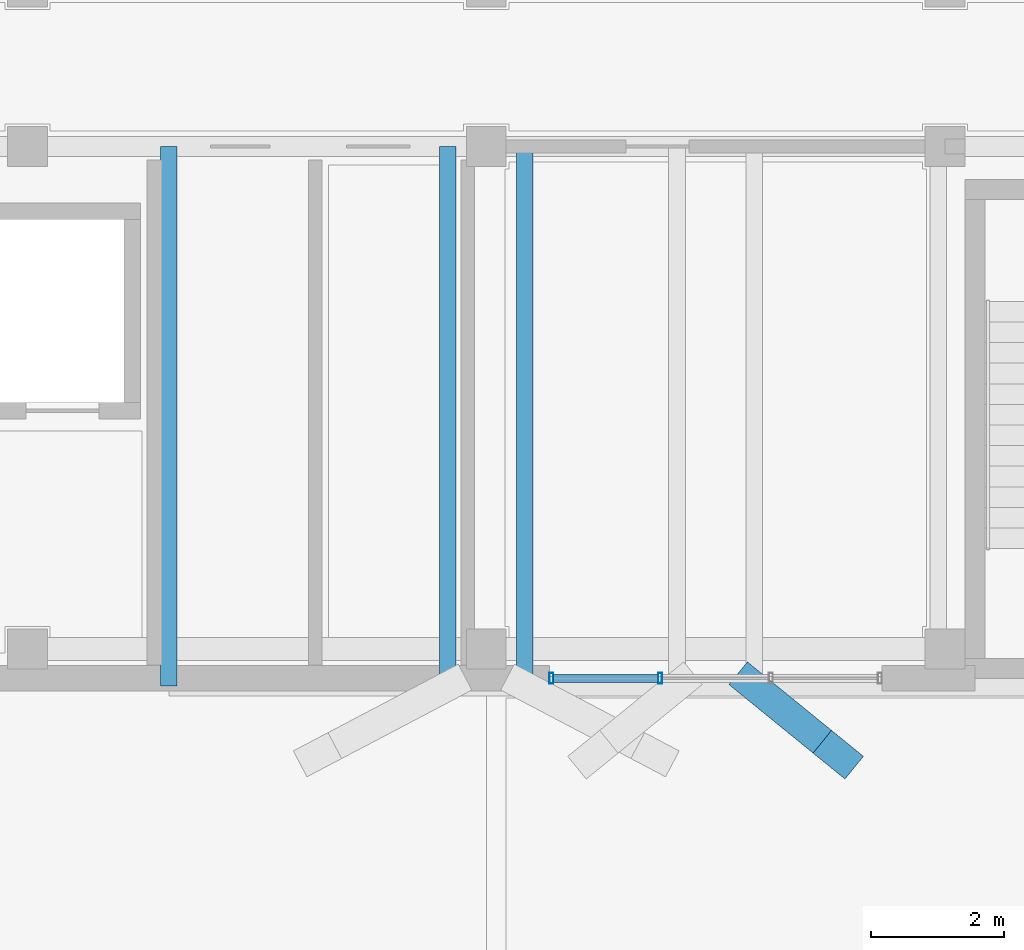
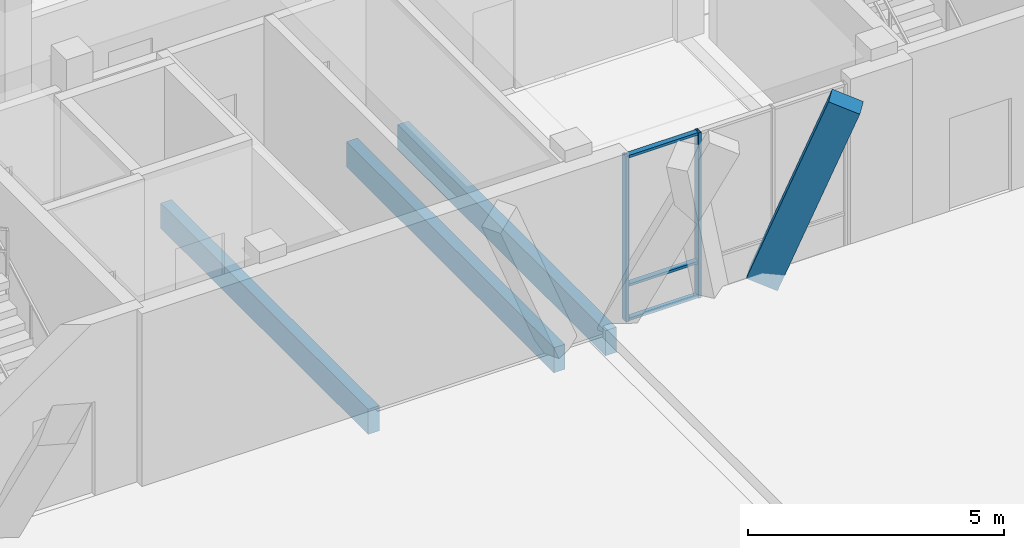
# One storey, part 100 of 233: 6 members, 3 beams, 1 element without a shape of its own.
"""IFC4 building model written with IfcOpenShell, lengths in metres."""

from ifc_helpers import new_model, si_unit, direction, frame, origin, origin_2d, place, context, subcontext, project, spatial, rectangle, hollow_rectangle, extrude, material, material_profile, profile_set, type_object, element, aggregate, save


model = new_model("IFC4")

# Units and contexts
model_context = context("Model", 3, precision=1e-05, world=origin(), true_north=direction((0.0, 1.0)))
body_context = subcontext(model_context, "Body", "Model", "MODEL_VIEW")
ifc_project = project(units=[si_unit("LENGTHUNIT", "METRE"), si_unit("AREAUNIT", "SQUARE_METRE"), si_unit("VOLUMEUNIT", "CUBIC_METRE"), si_unit("PLANEANGLEUNIT", "RADIAN"), si_unit("MASSUNIT", "GRAM", prefix="KILO")], contexts=[model_context])

# Site, building, storey
site_placement = place(None, origin())
site = spatial("IfcSite", under=ifc_project, at=site_placement, CompositionType="ELEMENT")
building_placement = place(site_placement, origin())
building = spatial("IfcBuilding", under=site, at=building_placement, Name="Zavelmont Quarter", CompositionType="ELEMENT")
storey_placement = place(building_placement, origin())
storey = spatial("IfcBuildingStorey", under=building, at=storey_placement, Name="L00", CompositionType="ELEMENT", Elevation=0.0)

# Beams
ifc_material_1 = material(Name="Concrete C40/50", Category="concrete")
ifc_material_profile_1 = material_profile(ifc_material_1, rectangle(XDim=0.25, YDim=0.60009765625, at=origin_2d()), Name="RC250X600")
ifc_profile_set_1 = profile_set([ifc_material_profile_1], Name="Concrete C40/50")
beam_type = type_object("IfcBeamType", Name="BM18", PredefinedType="BEAM", material=ifc_profile_set_1)
for number, where, z_axis, x_axis, name in (
    (1, (15.925048828125, 105.60009765625, -0.300048828125), (0.0, -1.0, 0.0), (1.0, 0.0, 0.0), "L00 beam BM18 3/Q to 3/P"),
    (2, (20.1201171875, 105.60009765625, -0.300048828125), (0.0, -1.0, 0.0), (1.0, 0.0, 0.0), "L00 beam BM18 4/Q to 4/P"),
    (3, (21.280029296875, 105.60009765625, -0.300048828125), (0.0, -1.0, 0.0), (1.0, 0.0, 0.0), "L00 beam BM18 4/Q to 4/P"),
):
    element("IfcBeam", number, at=place(storey_placement, frame(where, z_axis=z_axis, x_axis=x_axis)), inside=storey, type_object=beam_type, Name=name, PredefinedType="BEAM", context=body_context, shape_type="SweptSolid", body=[
        extrude(rectangle(XDim=0.25, YDim=0.60009765625, at=origin_2d()), origin(), (0.0, 0.0, 1.0), 8.1201171875),
    ])

# Curtain wall, members
ifc_material_2 = material(Name="Thermally broken aluminium and double low-E safety glazing", Category="aluminium")
curtain_wall_type = type_object("IfcCurtainWallType", Name="CW-500X395", PredefinedType="NOTDEFINED", material=ifc_material_2)
curtain_wall_placement = place(storey_placement, origin())
curtain_wall = element("IfcCurtainWall", 4, at=curtain_wall_placement, inside=storey, type_object=curtain_wall_type, Name="L00 unitised curtain wall CW-500X395", PredefinedType="NOTDEFINED")
ifc_material_3 = material(Name="Powder-coated aluminium EN AW-6063-T6", Category="aluminium")
ifc_material_profile_2 = material_profile(ifc_material_3, hollow_rectangle(XDim=0.06005859375, YDim=0.159912109375, WallThickness=0.00390625, at=origin_2d()), Name="CWM60X160")
ifc_profile_set_2 = profile_set([ifc_material_profile_2], Name="Powder-coated aluminium EN AW-6063-T6")
member_type_1 = type_object("IfcMemberType", Name="CWM01", PredefinedType="MULLION", material=ifc_profile_set_2)
member_1_placement = place(storey_placement, frame((21.679931640625, 97.60009765625, 0.0), z_axis=(0.0, 0.0, 1.0), x_axis=(1.0, 0.0, 0.0)))
member_1 = element("IfcMember", 5, at=member_1_placement, type_object=member_type_1, Name="CW-500X395 mullion 1", PredefinedType="MULLION", context=body_context, shape_type="SweptSolid", body=[
    extrude(hollow_rectangle(XDim=0.06005859375, YDim=0.159912109375, WallThickness=0.00390625, at=origin_2d()), origin(), (0.0, 0.0, 1.0), 3.949951171875),
])
member_2_placement = place(storey_placement, frame((23.316650390625, 97.60009765625, 0.0), z_axis=(0.0, 0.0, 1.0), x_axis=(1.0, 0.0, 0.0)))
member_2 = element("IfcMember", 6, at=member_2_placement, type_object=member_type_1, Name="CW-500X395 mullion 2", PredefinedType="MULLION", context=body_context, shape_type="SweptSolid", body=[
    extrude(hollow_rectangle(XDim=0.06005859375, YDim=0.159912109375, WallThickness=0.00390625, at=origin_2d()), origin(), (0.0, 0.0, 1.0), 3.949951171875),
])
ifc_material_profile_3 = material_profile(ifc_material_3, hollow_rectangle(XDim=0.1201171875, YDim=0.06005859375, WallThickness=0.00390625, at=origin_2d()), Name="CWT60X120")
ifc_profile_set_3 = profile_set([ifc_material_profile_3], Name="Powder-coated aluminium EN AW-6063-T6")
member_type_2 = type_object("IfcMemberType", Name="CWT01", PredefinedType="NOTDEFINED", material=ifc_profile_set_3)
member_3_placement = place(storey_placement, frame((21.7099609375, 97.60009765625, 0.030029296875), z_axis=(1.0, 0.0, 0.0), x_axis=(0.0, 1.0, 0.0)))
member_3 = element("IfcMember", 7, at=member_3_placement, type_object=member_type_2, Name="CW-500X395 transom 1.1", ObjectType="TRANSOM", PredefinedType="USERDEFINED", context=body_context, shape_type="SweptSolid", body=[
    extrude(hollow_rectangle(XDim=0.1201171875, YDim=0.06005859375, WallThickness=0.00390625, at=origin_2d()), origin(), (0.0, 0.0, 1.0), 1.57666015625),
])
member_4_placement = place(storey_placement, frame((21.7099609375, 97.60009765625, 0.85009765625), z_axis=(1.0, 0.0, 0.0), x_axis=(0.0, 1.0, 0.0)))
member_4 = element("IfcMember", 8, at=member_4_placement, type_object=member_type_2, Name="CW-500X395 transom 1.2", ObjectType="TRANSOM", PredefinedType="USERDEFINED", context=body_context, shape_type="SweptSolid", body=[
    extrude(hollow_rectangle(XDim=0.1201171875, YDim=0.06005859375, WallThickness=0.00390625, at=origin_2d()), origin(), (0.0, 0.0, 1.0), 1.57666015625),
])
member_5_placement = place(storey_placement, frame((21.7099609375, 97.60009765625, 3.919921875), z_axis=(1.0, 0.0, 0.0), x_axis=(0.0, 1.0, 0.0)))
member_5 = element("IfcMember", 9, at=member_5_placement, type_object=member_type_2, Name="CW-500X395 transom 1.3", ObjectType="TRANSOM", PredefinedType="USERDEFINED", context=body_context, shape_type="SweptSolid", body=[
    extrude(hollow_rectangle(XDim=0.1201171875, YDim=0.06005859375, WallThickness=0.00390625, at=origin_2d()), origin(), (0.0, 0.0, 1.0), 1.57666015625),
])
aggregate(curtain_wall, [member_1, member_2, member_3, member_4, member_5])

# Member
ifc_material_4 = material(Name="White architectural precast concrete C40/50", Category="concrete")
ifc_material_profile_4 = material_profile(ifc_material_4, rectangle(XDim=0.43994140625, YDim=0.659912109375, at=origin_2d()), Name="PCR320X480")
ifc_profile_set_4 = profile_set([ifc_material_profile_4], Name="White architectural precast concrete C40/50")
member_type_3 = type_object("IfcMemberType", Name="VR01M", PredefinedType="CHORD", material=ifc_profile_set_4)
member_6_placement = place(storey_placement, frame((24.72998046875, 97.47998046875, 0.0), z_axis=(0.269649665364, -0.219496804586, 0.937608772754), x_axis=(0.631296515151, 0.775541559143, 0.0)))
element("IfcMember", 10, at=member_6_placement, inside=storey, type_object=member_type_3, Name="L00 member VR01M 5/P to 5/P", PredefinedType="CHORD", context=body_context, shape_type="SweptSolid", body=[
    extrude(rectangle(XDim=0.43994140625, YDim=0.659912109375, at=origin_2d()), origin(), (0.0, 0.0, 1.0), 4.692626953125),
])

save(model, "model.ifc")
